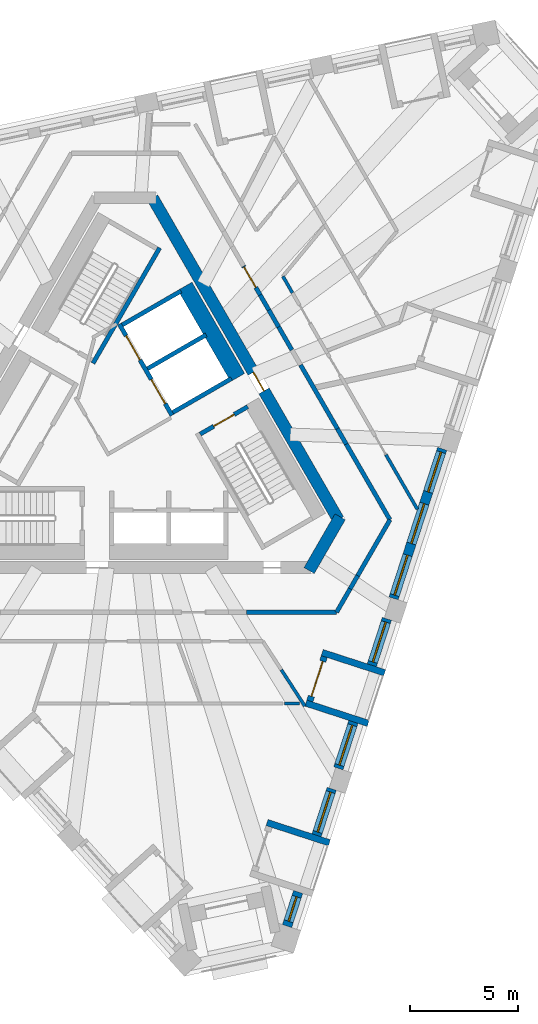
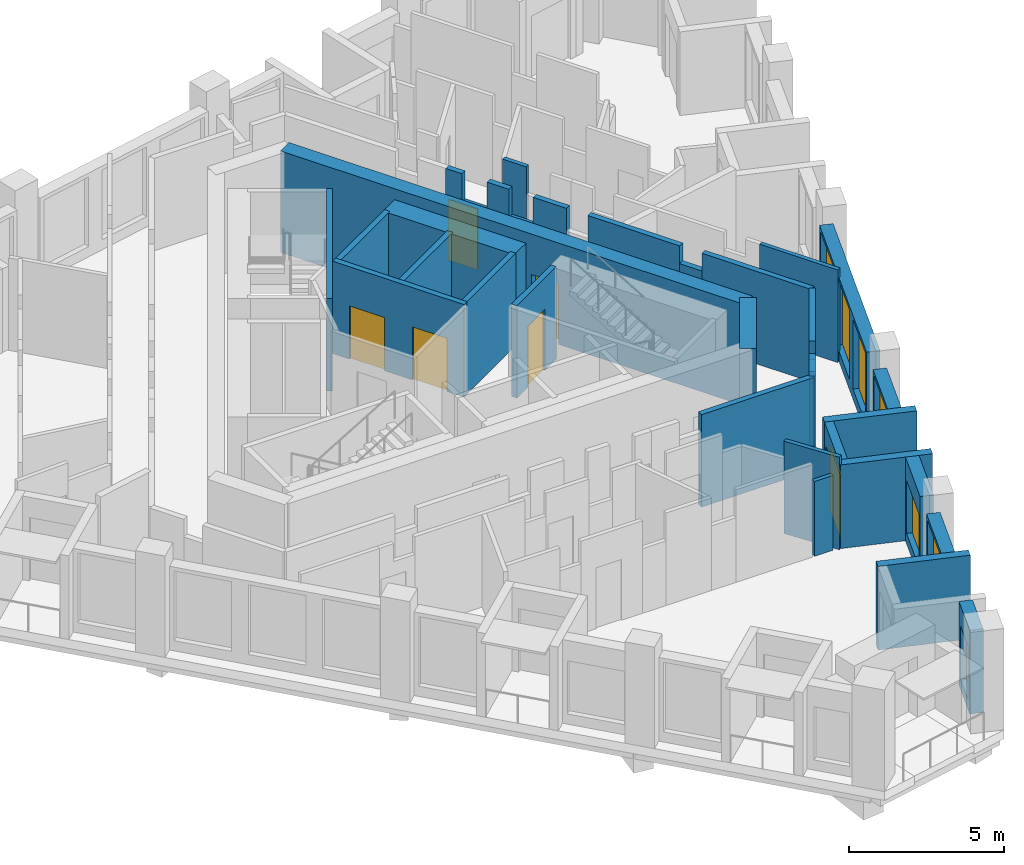
# One storey, part 5 of 12: 33 walls, 7 windows, 6 doors, 13 openings.
"""IFC4 building model written with IfcOpenShell, lengths in metres."""

from ifc_helpers import new_model, si_unit, direction, frame, frame_2d, origin, place, context, subcontext, project, spatial, polyline, rectangle, outline, extrude, material, layer, layer_set, type_object, element, fill, save


model = new_model("IFC4")

# Units and contexts
model_context = context("Model", 3, precision=1e-05, world=origin(), true_north=direction((0.0, 1.0)))
body_context = subcontext(model_context, "Body", "Model", "MODEL_VIEW")
ifc_project = project(units=[si_unit("LENGTHUNIT", "METRE"), si_unit("AREAUNIT", "SQUARE_METRE"), si_unit("VOLUMEUNIT", "CUBIC_METRE"), si_unit("PLANEANGLEUNIT", "RADIAN"), si_unit("MASSUNIT", "GRAM", prefix="KILO")], contexts=[model_context])

# Site, building, storey
site_placement = place(None, origin())
site = spatial("IfcSite", under=ifc_project, at=site_placement, CompositionType="ELEMENT")
building_placement = place(site_placement, origin())
building = spatial("IfcBuilding", under=site, at=building_placement, Name="Tramontana Tower", CompositionType="ELEMENT")
storey_placement = place(building_placement, frame((0.0, 0.0, 344.39990234375)))
storey = spatial("IfcBuildingStorey", under=building, at=storey_placement, Name="L79", CompositionType="ELEMENT", Elevation=344.39990234375)

# Wall
ifc_material_1 = material(Name="Concrete 70 MPa", Category="concrete")
ifc_layer_1 = layer(ifc_material_1, 0.550048828125)
ifc_layer_set_1 = layer_set([ifc_layer_1], Name="Core wall 550 70 MPa")
wall_type_1 = type_object("IfcWallType", Name="Core wall 550 70 MPa", PredefinedType="SHEAR", material=ifc_layer_set_1)
wall_1_placement = place(storey_placement, frame((8.56640625, -6.612548828125, 0.0), z_axis=(0.0, 0.0, 1.0), x_axis=(0.499995765644, 0.866027848477, 0.0)))
element("IfcWall", 1, at=wall_1_placement, inside=storey, type_object=wall_type_1, Name="Core wall C4 L79", PredefinedType="SHEAR", context=body_context, shape_type="SweptSolid", body=[
    extrude(rectangle(XDim=2.88671875, YDim=0.550048828125, at=frame_2d((1.443359375, 0.0))), origin(), (0.0, 0.0, 1.0), 4.0),
])

# Wall, opening, door
wall_2_placement = place(storey_placement, frame((9.930419921875, -4.25, 0.0), z_axis=(0.0, 0.0, 1.0), x_axis=(-0.499994590896, 0.86602852671, 0.0)))
wall_2 = element("IfcWall", 2, at=wall_2_placement, inside=storey, type_object=wall_type_1, Name="Core wall C5 L79", PredefinedType="SHEAR", context=body_context, shape_type="SweptSolid", body=[
    extrude(rectangle(XDim=17.291748046875, YDim=0.550048828125, at=frame_2d((8.64599609375, 0.0))), origin(), (0.0, 0.0, 1.0), 4.0),
])
opening_1_placement = place(wall_2_placement, frame((6.9208984375, 0.0, 0.0)))
opening_1 = element("IfcOpeningElement", 3, at=opening_1_placement, cuts=wall_2, Name="Opening RG3", PredefinedType="OPENING", context=body_context, shape_type="SweptSolid", body=[
    extrude(rectangle(XDim=1.0, YDim=2.39990234375, at=frame_2d((0.5, 1.199951171875))), frame((0.0, 0.284912109375, 0.0), z_axis=(0.0, -1.0, 0.0), x_axis=(1.0, 0.0, 0.0)), (0.0, 0.0, 1.0), 0.570068359375),
])
ifc_material_2 = material(Name="Painted steel", Category="steel")
door_type_1 = type_object("IfcDoorType", Name="RING DOOR 1000", OperationType="SINGLE_SWING_LEFT", PredefinedType="DOOR", material=ifc_material_2)
door_1_placement = place(opening_1_placement, origin())
door_1 = element("IfcDoor", 4, at=door_1_placement, inside=storey, type_object=door_type_1, Name="Door RG3", OperationType="SINGLE_SWING_RIGHT", OverallHeight=2.39990234375, OverallWidth=1.0, PredefinedType="DOOR", context=body_context, shape_type="SweptSolid", body=[
    extrude(rectangle(XDim=1.0, YDim=2.39990234375, at=frame_2d((0.5, 1.199951171875))), frame((0.0, 0.02490234375, 0.0), z_axis=(0.0, -1.0, 0.0), x_axis=(1.0, 0.0, 0.0)), (0.0, 0.0, 1.0), 0.050048828125),
])
fill(opening_1, door_1)

# Walls
ifc_material_3 = material(Name="Blockwork", Category="masonry")
ifc_layer_2 = layer(ifc_material_3, 0.199951171875)
ifc_layer_set_2 = layer_set([ifc_layer_2], Name="ENTRY WALL 200")
wall_type_2 = type_object("IfcWallType", Name="ENTRY WALL 200", PredefinedType="SOLIDWALL", material=ifc_layer_set_2)
wall_3_placement = place(storey_placement, frame((12.326416015625, -4.25, 0.0), z_axis=(0.0, 0.0, 1.0), x_axis=(-0.500003959331, -0.866023117852, 0.0)))
element("IfcWall", 5, at=wall_3_placement, inside=storey, type_object=wall_type_2, Name="Wall v82-ew0-0", PredefinedType="SOLIDWALL", context=body_context, shape_type="SweptSolid", body=[
    extrude(rectangle(XDim=3.0029296875, YDim=0.199951171875, at=frame_2d((1.50146484375, 0.0))), origin(), (0.0, 0.0, 1.0), 3.650146484375),
])
wall_4_placement = place(storey_placement, frame((10.824951171875, -6.8505859375, 0.0), z_axis=(0.0, 0.0, 1.0), x_axis=(-0.500144223137, -0.865942120504, 0.0)))
element("IfcWall", 6, at=wall_4_placement, inside=storey, type_object=wall_type_2, Name="Wall v82-ew0-1", PredefinedType="SOLIDWALL", context=body_context, shape_type="SweptSolid", body=[
    extrude(rectangle(XDim=0.701416015625, YDim=0.199951171875, at=frame_2d((0.3505859375, 0.0))), origin(), (0.0, 0.0, 1.0), 2.9501953125),
])
wall_5_placement = place(storey_placement, frame((10.47412109375, -7.4580078125, 0.0), z_axis=(0.0, 0.0, 1.0), x_axis=(-0.499929168788, -0.866066294342, 0.0)))
element("IfcWall", 7, at=wall_5_placement, inside=storey, type_object=wall_type_2, Name="Wall v82-ew0-2", PredefinedType="SOLIDWALL", context=body_context, shape_type="SweptSolid", body=[
    extrude(rectangle(XDim=1.260986328125, YDim=0.199951171875, at=frame_2d((0.63037109375, 0.0))), origin(), (0.0, 0.0, 1.0), 3.650146484375),
])
wall_6_placement = place(storey_placement, frame((9.84375, -8.550048828125, 0.0), z_axis=(0.0, 0.0, 1.0), x_axis=(-1.0, 0.0, 0.0)))
element("IfcWall", 8, at=wall_6_placement, inside=storey, type_object=wall_type_2, Name="Wall v82-ew1-0", PredefinedType="SOLIDWALL", context=body_context, shape_type="SweptSolid", body=[
    extrude(rectangle(XDim=4.1943359375, YDim=0.199951171875, at=frame_2d((2.09716796875, 0.0))), origin(), (0.0, 0.0, 1.0), 3.650146484375),
])

# Wall, opening, door
wall_7_placement = place(storey_placement, frame((5.515380859375, 7.547119140625, 0.0), z_axis=(0.0, 0.0, 1.0), x_axis=(0.499986163319, -0.866033392248, 0.0)))
wall_7 = element("IfcWall", 9, at=wall_7_placement, inside=storey, type_object=wall_type_2, Name="Wall v82-ew5-3", PredefinedType="SOLIDWALL", context=body_context, shape_type="SweptSolid", body=[
    extrude(outline(polyline([(0.0, 0.0), (1.54931640625, 0.0), (1.549072265625, 2.550048828125), (0.605224609375, 2.550048828125), (0.605224609375, 3.650146484375), (0.0, 3.650146484375), (0.0, 0.0)])), frame((0.0, 0.10009765625, 0.0), z_axis=(0.0, -1.0, 0.0), x_axis=(1.0, 0.0, 0.0)), (0.0, 0.0, 1.0), 0.199951171875),
])
opening_2_placement = place(wall_7_placement, frame((0.050048828125, 0.0, 0.0)))
opening_2 = element("IfcOpeningElement", 10, at=opening_2_placement, cuts=wall_7, Name="Opening B8C-17", PredefinedType="OPENING", context=body_context, shape_type="SweptSolid", body=[
    extrude(rectangle(XDim=1.10009765625, YDim=2.39990234375, at=frame_2d((0.550048828125, 1.199951171875))), frame((0.0, 0.10986328125, 0.0), z_axis=(0.0, -1.0, 0.0), x_axis=(1.0, 0.0, 0.0)), (0.0, 0.0, 1.0), 0.219970703125),
])
ifc_material_4 = material(Name="Painted timber", Category="wood")
door_type_2 = type_object("IfcDoorType", Name="DOOR ENTRY 1100", OperationType="SINGLE_SWING_LEFT", PredefinedType="DOOR", material=ifc_material_4)
door_2_placement = place(opening_2_placement, origin())
door_2 = element("IfcDoor", 11, at=door_2_placement, inside=storey, type_object=door_type_2, Name="Door B8C-17", OperationType="SINGLE_SWING_LEFT", OverallHeight=2.39990234375, OverallWidth=1.10009765625, PredefinedType="DOOR", context=body_context, shape_type="SweptSolid", body=[
    extrude(rectangle(XDim=1.10009765625, YDim=2.39990234375, at=frame_2d((0.550048828125, 1.199951171875))), frame((0.0, 0.02490234375, 0.0), z_axis=(0.0, -1.0, 0.0), x_axis=(1.0, 0.0, 0.0)), (0.0, 0.0, 1.0), 0.050048828125),
])
fill(opening_2, door_2)

# Walls
wall_8_placement = place(storey_placement, frame((6.2900390625, 6.205322265625, 0.0), z_axis=(0.0, 0.0, 1.0), x_axis=(0.500045602705, -0.86599907345, 0.0)))
element("IfcWall", 12, at=wall_8_placement, inside=storey, type_object=wall_type_2, Name="Wall v82-ew5-4", PredefinedType="SOLIDWALL", context=body_context, shape_type="SweptSolid", body=[
    extrude(rectangle(XDim=0.806640625, YDim=0.199951171875, at=frame_2d((0.4033203125, 0.0))), origin(), (0.0, 0.0, 1.0), 3.650146484375),
])
wall_9_placement = place(storey_placement, frame((6.693359375, 5.5068359375, 0.0), z_axis=(0.0, 0.0, 1.0), x_axis=(0.499994660107, -0.866028486751, 0.0)))
element("IfcWall", 13, at=wall_9_placement, inside=storey, type_object=wall_type_2, Name="Wall v82-ew5-5", PredefinedType="SOLIDWALL", context=body_context, shape_type="SweptSolid", body=[
    extrude(rectangle(XDim=0.90576171875, YDim=0.199951171875, at=frame_2d((0.452880859375, 0.0))), origin(), (0.0, 0.0, 1.0), 2.550048828125),
])
wall_10_placement = place(storey_placement, frame((7.146240234375, 4.722412109375, 0.0), z_axis=(0.0, 0.0, 1.0), x_axis=(0.499955681623, -0.866050989499, 0.0)))
element("IfcWall", 14, at=wall_10_placement, inside=storey, type_object=wall_type_2, Name="Wall v82-ew5-6", PredefinedType="SOLIDWALL", context=body_context, shape_type="SweptSolid", body=[
    extrude(rectangle(XDim=1.23828125, YDim=0.199951171875, at=frame_2d((0.619140625, 0.0))), origin(), (0.0, 0.0, 1.0), 3.650146484375),
])
wall_11_placement = place(storey_placement, frame((8.1689453125, 2.951171875, 0.0), z_axis=(0.0, 0.0, 1.0), x_axis=(0.499959115548, -0.866049007147, 0.0)))
element("IfcWall", 15, at=wall_11_placement, inside=storey, type_object=wall_type_2, Name="Wall v82-ew5-8", PredefinedType="SOLIDWALL", context=body_context, shape_type="SweptSolid", body=[
    extrude(rectangle(XDim=3.423095703125, YDim=0.199951171875, at=frame_2d((1.71142578125, 0.0))), origin(), (0.0, 0.0, 1.0), 3.650146484375),
])
wall_12_placement = place(storey_placement, frame((9.88037109375, -0.013427734375, 0.0), z_axis=(0.0, 0.0, 1.0), x_axis=(0.499952654668, -0.866052736899, 0.0)))
element("IfcWall", 16, at=wall_12_placement, inside=storey, type_object=wall_type_2, Name="Wall v82-ew5-9", PredefinedType="SOLIDWALL", context=body_context, shape_type="SweptSolid", body=[
    extrude(rectangle(XDim=0.826171875, YDim=0.199951171875, at=frame_2d((0.4130859375, 0.0))), origin(), (0.0, 0.0, 1.0), 2.9501953125),
])
wall_13_placement = place(storey_placement, frame((10.29345703125, -0.72900390625, 0.0), z_axis=(0.0, 0.0, 1.0), x_axis=(0.50002046505, -0.86601358796, 0.0)))
element("IfcWall", 17, at=wall_13_placement, inside=storey, type_object=wall_type_2, Name="Wall v82-ew5-10", PredefinedType="SOLIDWALL", context=body_context, shape_type="SweptSolid", body=[
    extrude(rectangle(XDim=4.065673828125, YDim=0.199951171875, at=frame_2d((2.03271484375, 0.0))), origin(), (0.0, 0.0, 1.0), 3.650146484375),
])

# Wall, opening, window
ifc_material_5 = material(Name="Precast concrete 60 MPa", Category="concrete")
ifc_layer_3 = layer(ifc_material_5, 0.449951171875)
ifc_layer_set_3 = layer_set([ifc_layer_3], Name="Precast concrete 60 MPa, 450 mm")
wall_type_3 = type_object("IfcWallType", Name="EW1 Stone-faced precast wall 450", PredefinedType="SOLIDWALL", material=ifc_layer_set_3)
wall_14_placement = place(storey_placement, frame((7.541015625, -23.14794921875, 0.0), z_axis=(0.0, 0.0, 1.0), x_axis=(0.308944042168, 0.951080216811, 0.0)))
wall_14 = element("IfcWall", 18, at=wall_14_placement, inside=storey, type_object=wall_type_3, Name="External wall L79 face 1 bay 1", PredefinedType="SOLIDWALL", context=body_context, shape_type="SweptSolid", body=[
    extrude(rectangle(XDim=1.67138671875, YDim=0.449951171875, at=frame_2d((0.835693359375, 0.0))), origin(), (0.0, 0.0, 1.0), 3.300048828125),
])
opening_3_placement = place(wall_14_placement, frame((0.235595703125, 0.0, 0.39990234375)))
opening_3 = element("IfcOpeningElement", 19, at=opening_3_placement, cuts=wall_14, Name="Opening N3L", PredefinedType="OPENING", context=body_context, shape_type="SweptSolid", body=[
    extrude(rectangle(XDim=1.199951171875, YDim=2.10009765625, at=frame_2d((0.60009765625, 1.050048828125))), frame((0.0, 0.23486328125, 0.0), z_axis=(0.0, -1.0, 0.0), x_axis=(1.0, 0.0, 0.0)), (0.0, 0.0, 1.0), 0.469970703125),
])
ifc_material_6 = material(Name="Aluminum frame, double glazing unit", Category="aluminium")
window_type_1 = type_object("IfcWindowType", Name="N3L Window 1.2 x 2.1", PartitioningType="SINGLE_PANEL", PredefinedType="WINDOW", material=ifc_material_6)
window_1_placement = place(opening_3_placement, origin())
window_1 = element("IfcWindow", 20, at=window_1_placement, inside=storey, type_object=window_type_1, Name="Window N3L L79 face 1 module 1", OverallHeight=2.10009765625, OverallWidth=1.199951171875, PartitioningType="SINGLE_PANEL", PredefinedType="WINDOW", context=body_context, shape_type="SweptSolid", body=[
    extrude(rectangle(XDim=1.199951171875, YDim=2.10009765625, at=frame_2d((0.60009765625, 1.050048828125))), frame((0.0, 0.030029296875, 0.0), z_axis=(0.0, -1.0, 0.0), x_axis=(1.0, 0.0, 0.0)), (0.0, 0.0, 1.0), 0.06005859375),
])
fill(opening_3, window_1)

wall_15_placement = place(storey_placement, frame((8.913818359375, -18.922607421875, 0.0), z_axis=(0.0, 0.0, 1.0), x_axis=(0.309059334219, 0.951042758204, 0.0)))
wall_15 = element("IfcWall", 21, at=wall_15_placement, inside=storey, type_object=wall_type_3, Name="External wall L79 face 1 bay 1", PredefinedType="SOLIDWALL", context=body_context, shape_type="SweptSolid", body=[
    extrude(rectangle(XDim=2.27099609375, YDim=0.449951171875, at=frame_2d((1.135498046875, 0.0))), origin(), (0.0, 0.0, 1.0), 3.300048828125),
])
opening_4_placement = place(wall_15_placement, frame((0.16064453125, 0.0, 0.39990234375)))
opening_4 = element("IfcOpeningElement", 22, at=opening_4_placement, cuts=wall_15, Name="Opening M3", PredefinedType="OPENING", context=body_context, shape_type="SweptSolid", body=[
    extrude(rectangle(XDim=1.949951171875, YDim=2.75, at=frame_2d((0.97509765625, 1.375))), frame((0.0, 0.23486328125, 0.0), z_axis=(0.0, -1.0, 0.0), x_axis=(1.0, 0.0, 0.0)), (0.0, 0.0, 1.0), 0.469970703125),
])
ifc_material_7 = material(Name="Aluminum frame, double glazing unit", Category="aluminium")
window_type_2 = type_object("IfcWindowType", Name="M3 Window 1.95 x 2.75", PartitioningType="SINGLE_PANEL", PredefinedType="WINDOW", material=ifc_material_7)
window_2_placement = place(opening_4_placement, origin())
window_2 = element("IfcWindow", 23, at=window_2_placement, inside=storey, type_object=window_type_2, Name="Window M3 L79 face 1 module 3", OverallHeight=2.75, OverallWidth=1.949951171875, PartitioningType="SINGLE_PANEL", PredefinedType="WINDOW", context=body_context, shape_type="SweptSolid", body=[
    extrude(rectangle(XDim=1.949951171875, YDim=2.75, at=frame_2d((0.97509765625, 1.375))), frame((0.0, 0.030029296875, 0.0), z_axis=(0.0, -1.0, 0.0), x_axis=(1.0, 0.0, 0.0)), (0.0, 0.0, 1.0), 0.06005859375),
])
fill(opening_4, window_2)

wall_16_placement = place(storey_placement, frame((9.9248046875, -15.8115234375, 0.0), z_axis=(0.0, 0.0, 1.0), x_axis=(0.308930512416, 0.95108461164, 0.0)))
wall_16 = element("IfcWall", 24, at=wall_16_placement, inside=storey, type_object=wall_type_3, Name="External wall L79 face 1 bay 2", PredefinedType="SOLIDWALL", context=body_context, shape_type="SweptSolid", body=[
    extrude(rectangle(XDim=2.271240234375, YDim=0.449951171875, at=frame_2d((1.1357421875, 0.0))), origin(), (0.0, 0.0, 1.0), 3.300048828125),
])
opening_5_placement = place(wall_16_placement, frame((0.16064453125, 0.0, 0.39990234375)))
opening_5 = element("IfcOpeningElement", 25, at=opening_5_placement, cuts=wall_16, Name="Opening M3L", PredefinedType="OPENING", context=body_context, shape_type="SweptSolid", body=[
    extrude(rectangle(XDim=1.949951171875, YDim=2.10009765625, at=frame_2d((0.97509765625, 1.050048828125))), frame((0.0, 0.23486328125, 0.0), z_axis=(0.0, -1.0, 0.0), x_axis=(1.0, 0.0, 0.0)), (0.0, 0.0, 1.0), 0.469970703125),
])
ifc_material_8 = material(Name="Aluminum frame, double glazing unit", Category="aluminium")
window_type_3 = type_object("IfcWindowType", Name="M3L Window 1.95 x 2.1", PartitioningType="SINGLE_PANEL", PredefinedType="WINDOW", material=ifc_material_8)
window_3_placement = place(opening_5_placement, origin())
window_3 = element("IfcWindow", 26, at=window_3_placement, inside=storey, type_object=window_type_3, Name="Window M3L L79 face 1 module 4", OverallHeight=2.10009765625, OverallWidth=1.949951171875, PartitioningType="SINGLE_PANEL", PredefinedType="WINDOW", context=body_context, shape_type="SweptSolid", body=[
    extrude(rectangle(XDim=1.949951171875, YDim=2.10009765625, at=frame_2d((0.97509765625, 1.050048828125))), frame((0.0, 0.030029296875, 0.0), z_axis=(0.0, -1.0, 0.0), x_axis=(1.0, 0.0, 0.0)), (0.0, 0.0, 1.0), 0.06005859375),
])
fill(opening_5, window_3)

wall_17_placement = place(storey_placement, frame((11.48291015625, -11.015869140625, 0.0), z_axis=(0.0, 0.0, 1.0), x_axis=(0.309027740273, 0.951053024674, 0.0)))
wall_17 = element("IfcWall", 27, at=wall_17_placement, inside=storey, type_object=wall_type_3, Name="External wall L79 face 1 bay 2", PredefinedType="SOLIDWALL", context=body_context, shape_type="SweptSolid", body=[
    extrude(rectangle(XDim=2.271240234375, YDim=0.449951171875, at=frame_2d((1.1357421875, 0.0))), origin(), (0.0, 0.0, 1.0), 3.300048828125),
])
opening_6_placement = place(wall_17_placement, frame((0.16064453125, 0.0, 0.39990234375)))
opening_6 = element("IfcOpeningElement", 28, at=opening_6_placement, cuts=wall_17, Name="Opening M3", PredefinedType="OPENING", context=body_context, shape_type="SweptSolid", body=[
    extrude(rectangle(XDim=1.949951171875, YDim=2.75, at=frame_2d((0.97509765625, 1.375))), frame((0.0, 0.23486328125, 0.0), z_axis=(0.0, -1.0, 0.0), x_axis=(1.0, 0.0, 0.0)), (0.0, 0.0, 1.0), 0.469970703125),
])
window_4_placement = place(opening_6_placement, origin())
window_4 = element("IfcWindow", 29, at=window_4_placement, inside=storey, type_object=window_type_2, Name="Window M3 L79 face 1 module 6", OverallHeight=2.75, OverallWidth=1.949951171875, PartitioningType="SINGLE_PANEL", PredefinedType="WINDOW", context=body_context, shape_type="SweptSolid", body=[
    extrude(rectangle(XDim=1.949951171875, YDim=2.75, at=frame_2d((0.97509765625, 1.375))), frame((0.0, 0.030029296875, 0.0), z_axis=(0.0, -1.0, 0.0), x_axis=(1.0, 0.0, 0.0)), (0.0, 0.0, 1.0), 0.06005859375),
])
fill(opening_6, window_4)

# Wall, openings, windows
wall_18_placement = place(storey_placement, frame((12.493896484375, -7.904541015625, 0.0), z_axis=(0.0, 0.0, 1.0), x_axis=(0.309008326872, 0.951059332494, 0.0)))
wall_18 = element("IfcWall", 30, at=wall_18_placement, inside=storey, type_object=wall_type_3, Name="External wall L79 face 1 bay 3", PredefinedType="SOLIDWALL", context=body_context, shape_type="SweptSolid", body=[
    extrude(rectangle(XDim=7.313720703125, YDim=0.449951171875, at=frame_2d((3.65673828125, 0.0))), origin(), (0.0, 0.0, 1.0), 3.300048828125),
])
opening_7_placement = place(wall_18_placement, frame((0.16064453125, 0.0, 0.39990234375)))
opening_7 = element("IfcOpeningElement", 31, at=opening_7_placement, cuts=wall_18, Name="Opening M3", PredefinedType="OPENING", context=body_context, shape_type="SweptSolid", body=[
    extrude(rectangle(XDim=1.949951171875, YDim=2.75, at=frame_2d((0.97509765625, 1.375))), frame((0.0, 0.23486328125, 0.0), z_axis=(0.0, -1.0, 0.0), x_axis=(1.0, 0.0, 0.0)), (0.0, 0.0, 1.0), 0.469970703125),
])
opening_8_placement = place(wall_18_placement, frame((2.681884765625, 0.0, 0.39990234375)))
opening_8 = element("IfcOpeningElement", 32, at=opening_8_placement, cuts=wall_18, Name="Opening M3", PredefinedType="OPENING", context=body_context, shape_type="SweptSolid", body=[
    extrude(rectangle(XDim=1.949951171875, YDim=2.75, at=frame_2d((0.97509765625, 1.375))), frame((0.0, 0.23486328125, 0.0), z_axis=(0.0, -1.0, 0.0), x_axis=(1.0, 0.0, 0.0)), (0.0, 0.0, 1.0), 0.469970703125),
])
opening_9_placement = place(wall_18_placement, frame((5.203125, 0.0, 0.39990234375)))
opening_9 = element("IfcOpeningElement", 33, at=opening_9_placement, cuts=wall_18, Name="Opening M3", PredefinedType="OPENING", context=body_context, shape_type="SweptSolid", body=[
    extrude(rectangle(XDim=1.949951171875, YDim=2.75, at=frame_2d((0.97509765625, 1.375))), frame((0.0, 0.23486328125, 0.0), z_axis=(0.0, -1.0, 0.0), x_axis=(1.0, 0.0, 0.0)), (0.0, 0.0, 1.0), 0.469970703125),
])
window_5_placement = place(opening_7_placement, origin())
window_5 = element("IfcWindow", 34, at=window_5_placement, inside=storey, type_object=window_type_2, Name="Window M3 L79 face 1 module 7", OverallHeight=2.75, OverallWidth=1.949951171875, PartitioningType="SINGLE_PANEL", PredefinedType="WINDOW", context=body_context, shape_type="SweptSolid", body=[
    extrude(rectangle(XDim=1.949951171875, YDim=2.75, at=frame_2d((0.97509765625, 1.375))), frame((0.0, 0.030029296875, 0.0), z_axis=(0.0, -1.0, 0.0), x_axis=(1.0, 0.0, 0.0)), (0.0, 0.0, 1.0), 0.06005859375),
])
fill(opening_7, window_5)
window_6_placement = place(opening_8_placement, origin())
window_6 = element("IfcWindow", 35, at=window_6_placement, inside=storey, type_object=window_type_2, Name="Window M3 L79 face 1 module 8", OverallHeight=2.75, OverallWidth=1.949951171875, PartitioningType="SINGLE_PANEL", PredefinedType="WINDOW", context=body_context, shape_type="SweptSolid", body=[
    extrude(rectangle(XDim=1.949951171875, YDim=2.75, at=frame_2d((0.97509765625, 1.375))), frame((0.0, 0.030029296875, 0.0), z_axis=(0.0, -1.0, 0.0), x_axis=(1.0, 0.0, 0.0)), (0.0, 0.0, 1.0), 0.06005859375),
])
fill(opening_8, window_6)
window_7_placement = place(opening_9_placement, origin())
window_7 = element("IfcWindow", 36, at=window_7_placement, inside=storey, type_object=window_type_2, Name="Window M3 L79 face 1 module 9", OverallHeight=2.75, OverallWidth=1.949951171875, PartitioningType="SINGLE_PANEL", PredefinedType="WINDOW", context=body_context, shape_type="SweptSolid", body=[
    extrude(rectangle(XDim=1.949951171875, YDim=2.75, at=frame_2d((0.97509765625, 1.375))), frame((0.0, 0.030029296875, 0.0), z_axis=(0.0, -1.0, 0.0), x_axis=(1.0, 0.0, 0.0)), (0.0, 0.0, 1.0), 0.06005859375),
])
fill(opening_9, window_7)

# Wall
ifc_material_9 = material(Name="Precast concrete 60 MPa", Category="concrete")
ifc_layer_4 = layer(ifc_material_9, 0.300048828125)
ifc_layer_set_4 = layer_set([ifc_layer_4], Name="LW1 Stone-faced loggia wall 300")
wall_type_4 = type_object("IfcWallType", Name="LW1 Stone-faced loggia wall 300", PredefinedType="SOLIDWALL", material=ifc_layer_set_4)
wall_19_placement = place(storey_placement, frame((9.509521484375, -19.27392578125, 0.0), z_axis=(0.0, 0.0, 1.0), x_axis=(-0.951072883748, 0.308966615996, 0.0)))
element("IfcWall", 37, at=wall_19_placement, inside=storey, type_object=wall_type_4, Name="Loggia return L79 G8S1.1b", PredefinedType="SOLIDWALL", context=body_context, shape_type="SweptSolid", body=[
    extrude(rectangle(XDim=3.050048828125, YDim=0.300048828125, at=frame_2d((1.52490234375, 0.0))), origin(), (0.0, 0.0, 1.0), 3.300048828125),
])

# Wall, opening, door
wall_20_placement = place(storey_placement, frame((8.603271484375, -12.678466796875, 0.0), z_axis=(0.0, 0.0, 1.0), x_axis=(0.308999623589, 0.95106216023, 0.0)))
wall_20 = element("IfcWall", 38, at=wall_20_placement, inside=storey, type_object=wall_type_4, Name="Loggia wall L79 G8S1.4", PredefinedType="SOLIDWALL", context=body_context, shape_type="SweptSolid", body=[
    extrude(rectangle(XDim=2.171142578125, YDim=0.300048828125, at=frame_2d((1.08544921875, 0.0))), origin(), (0.0, 0.0, 1.0), 3.300048828125),
])
opening_10_placement = place(wall_20_placement, frame((0.235595703125, 0.0, 0.0)))
opening_10 = element("IfcOpeningElement", 39, at=opening_10_placement, cuts=wall_20, Name="Opening BD-8S1-04", PredefinedType="OPENING", context=body_context, shape_type="SweptSolid", body=[
    extrude(rectangle(XDim=1.699951171875, YDim=2.5, at=frame_2d((0.85009765625, 1.25))), frame((0.0, 0.159912109375, 0.0), z_axis=(0.0, -1.0, 0.0), x_axis=(1.0, 0.0, 0.0)), (0.0, 0.0, 1.0), 0.320068359375),
])
ifc_material_10 = material(Name="Aluminum frame, double glazing unit", Category="aluminium")
door_type_3 = type_object("IfcDoorType", Name="BD3 Sliding door 1.7 x 2.5", OperationType="SLIDING_TO_LEFT", PredefinedType="DOOR", material=ifc_material_10)
door_3_placement = place(opening_10_placement, origin())
door_3 = element("IfcDoor", 40, at=door_3_placement, inside=storey, type_object=door_type_3, Name="Loggia door L79 G8S1.4", OperationType="SLIDING_TO_LEFT", OverallHeight=2.5, OverallWidth=1.699951171875, PredefinedType="DOOR", context=body_context, shape_type="SweptSolid", body=[
    extrude(rectangle(XDim=1.699951171875, YDim=2.5, at=frame_2d((0.85009765625, 1.25))), frame((0.0, 0.02490234375, 0.0), z_axis=(0.0, -1.0, 0.0), x_axis=(1.0, 0.0, 0.0)), (0.0, 0.0, 1.0), 0.050048828125),
])
fill(opening_10, door_3)

# Walls
for number, where, z_axis, x_axis, name in (
    (41, (11.31494140625, -13.71728515625, 0.0), (0.0, 0.0, 1.0), (-0.951072883748, 0.308966615996, 0.0), "Loggia return L79 G8S1.4a"),
    (42, (12.07861328125, -11.366943359375, 0.0), (0.0, 0.0, 1.0), (-0.951072883748, 0.308966615996, 0.0), "Loggia return L79 G8S1.4b"),
):
    element("IfcWall", number, at=place(storey_placement, frame(where, z_axis=z_axis, x_axis=x_axis)), inside=storey, type_object=wall_type_4, Name=name, PredefinedType="SOLIDWALL", context=body_context, shape_type="SweptSolid", body=[
        extrude(rectangle(XDim=3.050048828125, YDim=0.300048828125, at=frame_2d((1.52490234375, 0.0))), origin(), (0.0, 0.0, 1.0), 3.300048828125),
    ])
ifc_material_11 = material(Name="Gypsum board partition")
ifc_layer_5 = layer(ifc_material_11, 0.14990234375)
ifc_layer_set_5 = layer_set([ifc_layer_5], Name="PARTITION 150")
wall_type_5 = type_object("IfcWallType", Name="PARTITION 150", PredefinedType="PARTITIONING", material=ifc_layer_set_5)
wall_21_placement = place(storey_placement, frame((7.34716796875, 7.074462890625, 0.0), z_axis=(0.0, 0.0, 1.0), x_axis=(0.499944022619, -0.866057719929, 0.0)))
element("IfcWall", 43, at=wall_21_placement, inside=storey, type_object=wall_type_5, Name="Wall v82-pw17-0", PredefinedType="PARTITIONING", context=body_context, shape_type="SweptSolid", body=[
    extrude(rectangle(XDim=0.89013671875, YDim=0.14990234375, at=frame_2d((0.445068359375, 0.0))), origin(), (0.0, 0.0, 1.0), 3.650146484375),
])
wall_22_placement = place(storey_placement, frame((12.139892578125, -1.22705078125, 0.0), z_axis=(0.0, 0.0, 1.0), x_axis=(0.500032963244, -0.86600637161, 0.0)))
element("IfcWall", 44, at=wall_22_placement, inside=storey, type_object=wall_type_5, Name="Wall v82-pw17-6", PredefinedType="PARTITIONING", context=body_context, shape_type="SweptSolid", body=[
    extrude(rectangle(XDim=2.926513671875, YDim=0.14990234375, at=frame_2d((1.46337890625, 0.0))), origin(), (0.0, 0.0, 1.0), 3.650146484375),
])
wall_23_placement = place(storey_placement, frame((8.121337890625, -12.800048828125, 0.0), z_axis=(0.0, 0.0, 1.0), x_axis=(-1.0, 0.0, 0.0)))
element("IfcWall", 45, at=wall_23_placement, inside=storey, type_object=wall_type_5, Name="Wall v82-pw20-0", PredefinedType="PARTITIONING", context=body_context, shape_type="SweptSolid", body=[
    extrude(rectangle(XDim=0.6953125, YDim=0.14990234375, at=frame_2d((0.34765625, 0.0))), origin(), (0.0, 0.0, 1.0), 2.9501953125),
])
wall_24_placement = place(storey_placement, frame((8.36865234375, -12.9150390625, 0.0), z_axis=(0.0, 0.0, 1.0), x_axis=(-0.543718462002, 0.839267677251, 0.0)))
element("IfcWall", 46, at=wall_24_placement, inside=storey, type_object=wall_type_5, Name="Wall v82-pw21-0", PredefinedType="PARTITIONING", context=body_context, shape_type="SweptSolid", body=[
    extrude(rectangle(XDim=2.0146484375, YDim=0.14990234375, at=frame_2d((1.00732421875, 0.0))), origin(), (0.0, 0.0, 1.0), 3.650146484375),
])
ifc_material_12 = material(Name="Concrete 70 MPa", Category="concrete")
ifc_layer_6 = layer(ifc_material_12, 0.75)
ifc_layer_set_6 = layer_set([ifc_layer_6], Name="Concrete 70 MPa, 750 mm")
wall_type_6 = type_object("IfcWallType", Name="RC SHAFT BACK WALL 750", PredefinedType="SOLIDWALL", material=ifc_layer_set_6)
wall_25_placement = place(storey_placement, frame((5.242919921875, 2.368896484375, 0.0), z_axis=(0.0, 0.0, 1.0), x_axis=(-0.500002801628, 0.866023786258, 0.0)))
element("IfcWall", 47, at=wall_25_placement, inside=storey, type_object=wall_type_6, Name="Wall row2-back", PredefinedType="SOLIDWALL", context=body_context, shape_type="SweptSolid", body=[
    extrude(rectangle(XDim=4.89990234375, YDim=0.75, at=frame_2d((2.449951171875, 0.0))), origin(), (0.0, 0.0, 1.0), 3.650146484375),
])
ifc_material_13 = material(Name="Concrete 70 MPa", Category="concrete")
ifc_layer_7 = layer(ifc_material_13, 0.199951171875)
ifc_layer_set_7 = layer_set([ifc_layer_7], Name="Concrete 70 MPa, 200 mm")
wall_type_7 = type_object("IfcWallType", Name="RC STAIR AND SHAFT WALL 200", PredefinedType="SOLIDWALL", material=ifc_layer_set_7)
wall_26_placement = place(storey_placement, frame((1.615234375, 8.3974609375, 0.0), z_axis=(0.0, 0.0, 1.0), x_axis=(-0.500009909098, -0.866019682689, 0.0)))
element("IfcWall", 48, at=wall_26_placement, inside=storey, type_object=wall_type_7, Name="Wall st1-front", PredefinedType="SOLIDWALL", context=body_context, shape_type="SweptSolid", body=[
    extrude(rectangle(XDim=6.199951171875, YDim=0.199951171875, at=frame_2d((3.10009765625, 0.0))), origin(), (0.0, 0.0, 1.0), 3.650146484375),
])

# Wall, opening, door
wall_27_placement = place(storey_placement, frame((3.50146484375, -0.2646484375, 0.0), z_axis=(0.0, 0.0, 1.0), x_axis=(0.866030925526, 0.499990435942, 0.0)))
wall_27 = element("IfcWall", 49, at=wall_27_placement, inside=storey, type_object=wall_type_7, Name="Wall st3-near", PredefinedType="SOLIDWALL", context=body_context, shape_type="SweptSolid", body=[
    extrude(rectangle(XDim=2.5498046875, YDim=0.199951171875, at=frame_2d((1.27490234375, 0.0))), origin(), (0.0, 0.0, 1.0), 3.650146484375),
])
opening_11_placement = place(wall_27_placement, frame((0.72509765625, 0.0, 0.0)))
opening_11 = element("IfcOpeningElement", 50, at=opening_11_placement, cuts=wall_27, Name="Opening SD3", PredefinedType="OPENING", context=body_context, shape_type="SweptSolid", body=[
    extrude(rectangle(XDim=1.10009765625, YDim=2.39990234375, at=frame_2d((0.550048828125, 1.199951171875))), frame((0.0, 0.10986328125, 0.0), z_axis=(0.0, -1.0, 0.0), x_axis=(1.0, 0.0, 0.0)), (0.0, 0.0, 1.0), 0.219970703125),
])
ifc_material_14 = material(Name="Painted steel", Category="steel")
door_type_4 = type_object("IfcDoorType", Name="STAIR DOOR 1100", OperationType="SINGLE_SWING_LEFT", PredefinedType="DOOR", material=ifc_material_14)
door_4_placement = place(opening_11_placement, origin())
door_4 = element("IfcDoor", 51, at=door_4_placement, inside=storey, type_object=door_type_4, Name="Door SD3", OperationType="SINGLE_SWING_RIGHT", OverallHeight=2.39990234375, OverallWidth=1.10009765625, PredefinedType="DOOR", context=body_context, shape_type="SweptSolid", body=[
    extrude(rectangle(XDim=1.10009765625, YDim=2.39990234375, at=frame_2d((0.550048828125, 1.199951171875))), frame((0.0, 0.02490234375, 0.0), z_axis=(0.0, -1.0, 0.0), x_axis=(1.0, 0.0, 0.0)), (0.0, 0.0, 1.0), 0.050048828125),
])
fill(opening_11, door_4)

# Wall, openings, doors
wall_28_placement = place(storey_placement, frame((2.190185546875, 0.6064453125, 0.0), z_axis=(0.0, 0.0, 1.0), x_axis=(-0.500002801628, 0.866023786258, 0.0)))
wall_28 = element("IfcWall", 52, at=wall_28_placement, inside=storey, type_object=wall_type_7, Name="Wall row2-front", PredefinedType="SOLIDWALL", context=body_context, shape_type="SweptSolid", body=[
    extrude(rectangle(XDim=4.89990234375, YDim=0.199951171875, at=frame_2d((2.449951171875, 0.0))), origin(), (0.0, 0.0, 1.0), 3.650146484375),
])
opening_12_placement = place(wall_28_placement, frame((0.625, 0.0, 0.0)))
opening_12 = element("IfcOpeningElement", 53, at=opening_12_placement, cuts=wall_28, Name="Opening LD-F1", PredefinedType="OPENING", context=body_context, shape_type="SweptSolid", body=[
    extrude(rectangle(XDim=1.300048828125, YDim=2.10009765625, at=frame_2d((0.64990234375, 1.050048828125))), frame((0.0, 0.10986328125, 0.0), z_axis=(0.0, -1.0, 0.0), x_axis=(1.0, 0.0, 0.0)), (0.0, 0.0, 1.0), 0.219970703125),
])
opening_13_placement = place(wall_28_placement, frame((2.97509765625, 0.0, 0.0)))
opening_13 = element("IfcOpeningElement", 54, at=opening_13_placement, cuts=wall_28, Name="Opening LD-F2", PredefinedType="OPENING", context=body_context, shape_type="SweptSolid", body=[
    extrude(rectangle(XDim=1.300048828125, YDim=2.10009765625, at=frame_2d((0.64990234375, 1.050048828125))), frame((0.0, 0.10986328125, 0.0), z_axis=(0.0, -1.0, 0.0), x_axis=(1.0, 0.0, 0.0)), (0.0, 0.0, 1.0), 0.219970703125),
])
ifc_material_15 = material(Name="Brushed steel", Category="steel")
door_type_5 = type_object("IfcDoorType", Name="LANDING DOOR 1300", OperationType="SINGLE_SWING_LEFT", PredefinedType="DOOR", material=ifc_material_15)
door_5_placement = place(opening_12_placement, origin())
door_5 = element("IfcDoor", 55, at=door_5_placement, inside=storey, type_object=door_type_5, Name="Door LD-F1", OperationType="SLIDING_TO_LEFT", OverallHeight=2.10009765625, OverallWidth=1.300048828125, PredefinedType="DOOR", context=body_context, shape_type="SweptSolid", body=[
    extrude(rectangle(XDim=1.300048828125, YDim=2.10009765625, at=frame_2d((0.64990234375, 1.050048828125))), frame((0.0, 0.02490234375, 0.0), z_axis=(0.0, -1.0, 0.0), x_axis=(1.0, 0.0, 0.0)), (0.0, 0.0, 1.0), 0.050048828125),
])
fill(opening_12, door_5)
door_6_placement = place(opening_13_placement, origin())
door_6 = element("IfcDoor", 56, at=door_6_placement, inside=storey, type_object=door_type_5, Name="Door LD-F2", OperationType="SLIDING_TO_RIGHT", OverallHeight=2.10009765625, OverallWidth=1.300048828125, PredefinedType="DOOR", context=body_context, shape_type="SweptSolid", body=[
    extrude(rectangle(XDim=1.300048828125, YDim=2.10009765625, at=frame_2d((0.64990234375, 1.050048828125))), frame((0.0, 0.02490234375, 0.0), z_axis=(0.0, -1.0, 0.0), x_axis=(1.0, 0.0, 0.0)), (0.0, 0.0, 1.0), 0.050048828125),
])
fill(opening_13, door_6)

# Walls
for number, where, z_axis, x_axis, name in (
    (57, (2.226806640625, 0.742919921875, 0.0), (0.0, 0.0, 1.0), (0.866035871367, 0.499981869177, 0.0), "Wall row2-side0"),
    (58, (1.0517578125, 2.778076171875, 0.0), (0.0, 0.0, 1.0), (0.866035871367, 0.499981869177, 0.0), "Wall row2-side1"),
    (59, (-0.123046875, 4.813232421875, 0.0), (0.0, 0.0, 1.0), (0.866016494683, 0.500015430699, 0.0), "Wall row2-side2"),
):
    element("IfcWall", number, at=place(storey_placement, frame(where, z_axis=z_axis, x_axis=x_axis)), inside=storey, type_object=wall_type_7, Name=name, PredefinedType="SOLIDWALL", context=body_context, shape_type="SweptSolid", body=[
        extrude(rectangle(XDim=3.14990234375, YDim=0.199951171875, at=frame_2d((1.574951171875, 0.0))), origin(), (0.0, 0.0, 1.0), 3.650146484375),
    ])

save(model, "model.ifc")
